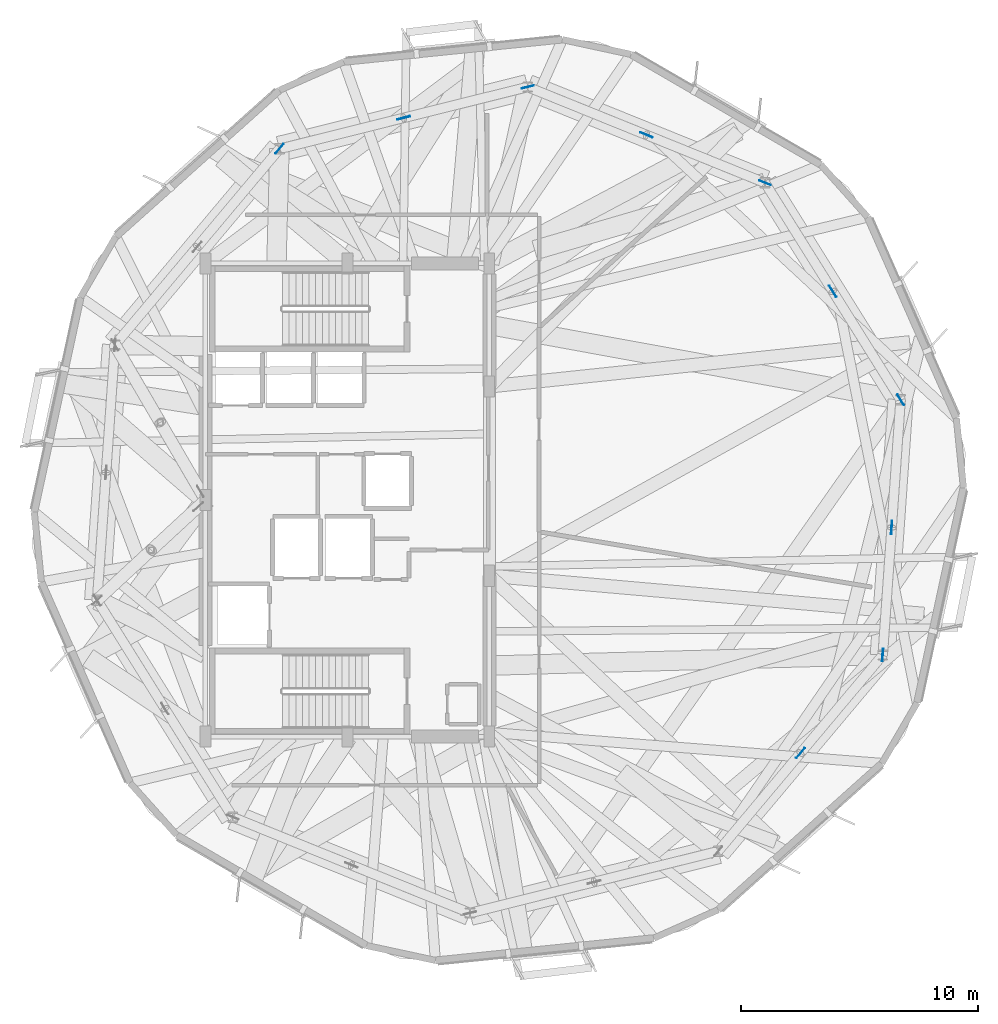
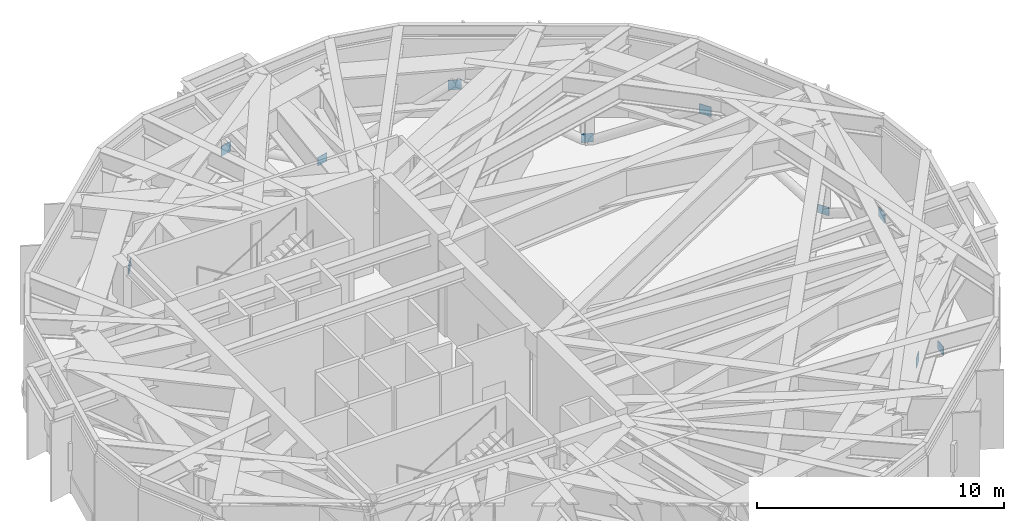
# One storey, part 7 of 14: 10 plates.
"""IFC4 building model written with IfcOpenShell, lengths in metres."""

from ifc_helpers import new_model, si_unit, direction, frame, origin, origin_2d, place, context, subcontext, project, spatial, rectangle, extrude, material, layer, layer_set, type_object, element, save


model = new_model("IFC4")

# Units and contexts
model_context = context("Model", 3, precision=1e-05, world=origin(), true_north=direction((0.0, 1.0)))
body_context = subcontext(model_context, "Body", "Model", "MODEL_VIEW")
ifc_project = project(units=[si_unit("LENGTHUNIT", "METRE"), si_unit("AREAUNIT", "SQUARE_METRE"), si_unit("VOLUMEUNIT", "CUBIC_METRE"), si_unit("PLANEANGLEUNIT", "RADIAN"), si_unit("MASSUNIT", "GRAM", prefix="KILO")], contexts=[model_context])

# Site, building, storey
site_placement = place(None, origin())
site = spatial("IfcSite", under=ifc_project, at=site_placement, CompositionType="ELEMENT")
building_placement = place(site_placement, origin())
building = spatial("IfcBuilding", under=site, at=building_placement, Name="Soratama Intermodal Tower", CompositionType="ELEMENT")
storey_placement = place(building_placement, frame((0.0, 0.0, 185.800048828125)))
storey = spatial("IfcBuildingStorey", under=building, at=storey_placement, Name="L46", CompositionType="ELEMENT", Elevation=185.800048828125)

# Plates
ifc_material = material(Name="Structural steel ASTM A992 Grade 50", Category="steel")
ifc_layer = layer(ifc_material, 0.030029296875)
ifc_layer_set = layer_set([ifc_layer], Name="Structural steel ASTM A992 Grade 50")
plate_type = type_object("IfcPlateType", Name="PL-GUSSET-30", PredefinedType="USERDEFINED", material=ifc_layer_set)
plate_1_placement = place(storey_placement, frame((59.114501953125, 33.819580078125, 3.099853515625), z_axis=(0.0, 0.0, 1.0), x_axis=(-0.529919264233, 0.848048096156, 0.0)))
element("IfcPlate", 1, at=plate_1_placement, inside=storey, type_object=plate_type, Name="L46 Belt Truss Apex Gusset 01", ObjectType="GUSSET PLATE", PredefinedType="USERDEFINED", context=body_context, shape_type="SweptSolid", body=[
    extrude(rectangle(XDim=0.56005859375, YDim=0.030029296875, at=origin_2d()), origin(), (0.0, 0.0, 1.0), 0.47998046875),
])
plate_2_placement = place(storey_placement, frame((61.980224609375, 29.233642578125, -0.02001953125), z_axis=(0.0, 0.0, 1.0), x_axis=(-0.529919264233, 0.848048096156, 0.0)))
element("IfcPlate", 2, at=plate_2_placement, inside=storey, type_object=plate_type, Name="L46 Belt Truss Foot Gusset 01", ObjectType="GUSSET PLATE", PredefinedType="USERDEFINED", context=body_context, shape_type="SweptSolid", body=[
    extrude(rectangle(XDim=0.52001953125, YDim=0.030029296875, at=origin_2d()), origin(), (0.0, 0.0, 1.0), 0.419921875),
])
plate_3_placement = place(storey_placement, frame((51.23486328125, 40.431640625, 3.099853515625), z_axis=(0.0, 0.0, 1.0), x_axis=(-0.927183854567, 0.374606593416, 0.0)))
element("IfcPlate", 3, at=plate_3_placement, inside=storey, type_object=plate_type, Name="L46 Belt Truss Apex Gusset 02", ObjectType="GUSSET PLATE", PredefinedType="USERDEFINED", context=body_context, shape_type="SweptSolid", body=[
    extrude(rectangle(XDim=0.56005859375, YDim=0.030029296875, at=origin_2d()), origin(), (0.0, 0.0, 1.0), 0.47998046875),
])
plate_4_placement = place(storey_placement, frame((56.248779296875, 38.40576171875, -0.02001953125), z_axis=(0.0, 0.0, 1.0), x_axis=(-0.927183854567, 0.374606593416, 0.0)))
element("IfcPlate", 4, at=plate_4_placement, inside=storey, type_object=plate_type, Name="L46 Belt Truss Foot Gusset 02", ObjectType="GUSSET PLATE", PredefinedType="USERDEFINED", context=body_context, shape_type="SweptSolid", body=[
    extrude(rectangle(XDim=0.52001953125, YDim=0.030029296875, at=origin_2d()), origin(), (0.0, 0.0, 1.0), 0.419921875),
])
plate_5_placement = place(storey_placement, frame((40.9736328125, 41.149169921875, 3.099853515625), z_axis=(0.0, 0.0, 1.0), x_axis=(-0.970295726276, -0.2419218956, 0.0)))
element("IfcPlate", 5, at=plate_5_placement, inside=storey, type_object=plate_type, Name="L46 Belt Truss Apex Gusset 03", ObjectType="GUSSET PLATE", PredefinedType="USERDEFINED", context=body_context, shape_type="SweptSolid", body=[
    extrude(rectangle(XDim=0.56005859375, YDim=0.030029296875, at=origin_2d()), origin(), (0.0, 0.0, 1.0), 0.47998046875),
])
for number, where, z_axis, x_axis, name in (
    (6, (46.220703125, 42.45751953125, -0.02001953125), (0.0, 0.0, 1.0), (-0.970295726276, -0.2419218956, 0.0), "L46 Belt Truss Foot Gusset 03"),
    (7, (35.726318359375, 39.8408203125, -0.02001953125), (0.0, 0.0, 1.0), (-0.642787609687, -0.766044443119, 0.0), "L46 Belt Truss Foot Gusset 04"),
):
    element("IfcPlate", number, at=place(storey_placement, frame(where, z_axis=z_axis, x_axis=x_axis)), inside=storey, type_object=plate_type, Name=name, ObjectType="GUSSET PLATE", PredefinedType="USERDEFINED", context=body_context, shape_type="SweptSolid", body=[
        extrude(rectangle(XDim=0.52001953125, YDim=0.030029296875, at=origin_2d()), origin(), (0.0, 0.0, 1.0), 0.419921875),
    ])
for number, where, z_axis, x_axis, name in (
    (8, (57.749755859375, 14.3017578125, 3.099853515625), (0.0, 0.0, 1.0), (0.642787609687, 0.766044443119, 0.0), "L46 Belt Truss Apex Gusset 09"),
    (9, (61.60302734375, 23.839111328125, 3.099853515625), (0.0, 0.0, 1.0), (0.069756473744, 0.99756405026, 0.0), "L46 Belt Truss Apex Gusset 10"),
):
    element("IfcPlate", number, at=place(storey_placement, frame(where, z_axis=z_axis, x_axis=x_axis)), inside=storey, type_object=plate_type, Name=name, ObjectType="GUSSET PLATE", PredefinedType="USERDEFINED", context=body_context, shape_type="SweptSolid", body=[
        extrude(rectangle(XDim=0.56005859375, YDim=0.030029296875, at=origin_2d()), origin(), (0.0, 0.0, 1.0), 0.47998046875),
    ])
plate_6_placement = place(storey_placement, frame((61.2255859375, 18.4443359375, -0.02001953125), z_axis=(0.0, 0.0, 1.0), x_axis=(0.069756473744, 0.99756405026, 0.0)))
element("IfcPlate", 10, at=plate_6_placement, inside=storey, type_object=plate_type, Name="L46 Belt Truss Foot Gusset 10", ObjectType="GUSSET PLATE", PredefinedType="USERDEFINED", context=body_context, shape_type="SweptSolid", body=[
    extrude(rectangle(XDim=0.52001953125, YDim=0.030029296875, at=origin_2d()), origin(), (0.0, 0.0, 1.0), 0.419921875),
])

save(model, "model.ifc")
